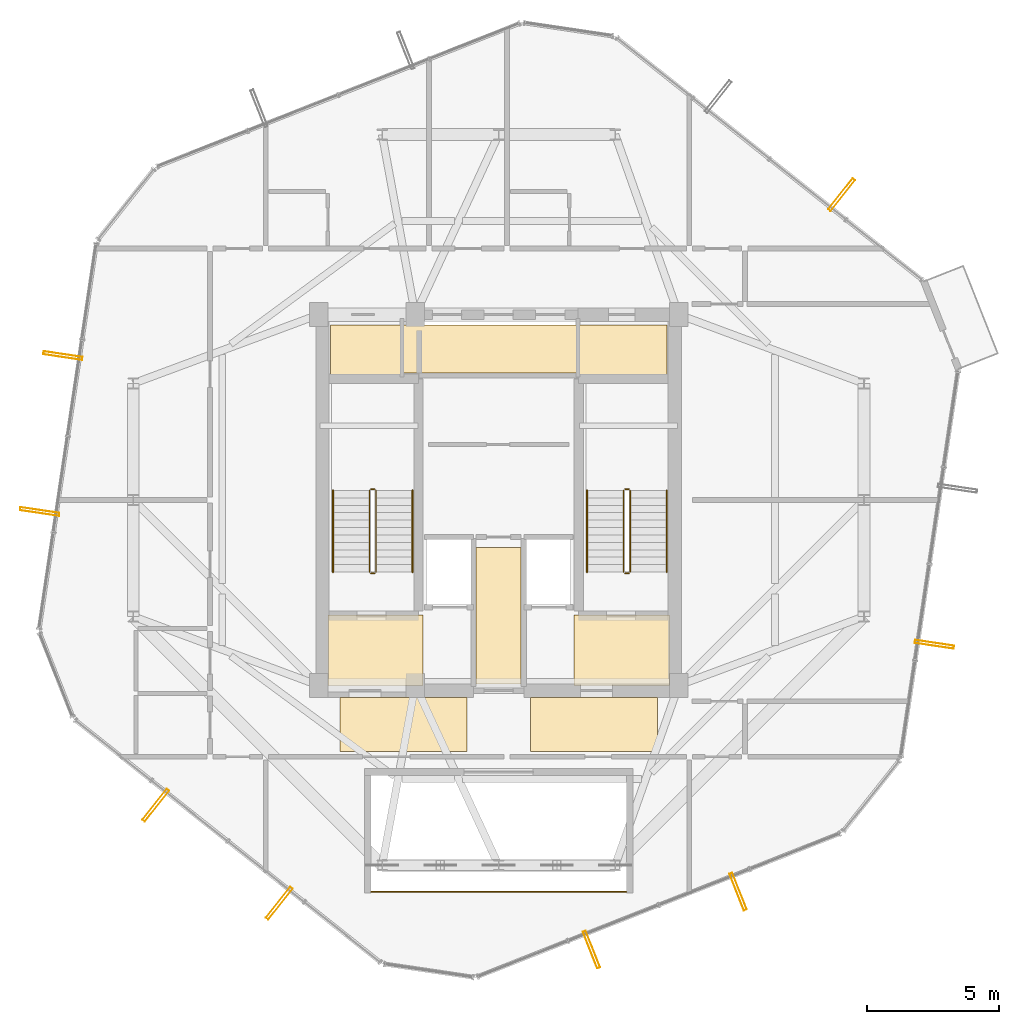
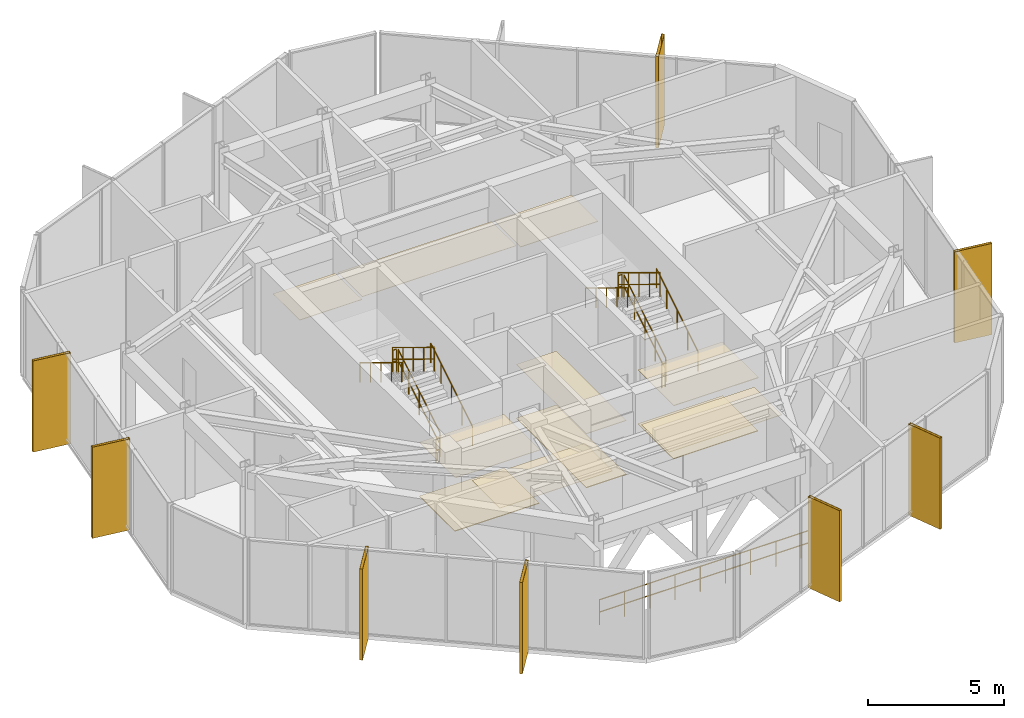
# One storey, part 21 of 22: 13 railings, 11 coverings, 8 shading devices.
"""IFC4 building model written with IfcOpenShell, lengths in metres."""

from ifc_helpers import new_model, si_unit, direction, frame, origin, origin_2d, place, context, subcontext, project, spatial, polyline, hollow_rectangle, circle, outline, extrude, material, layer, layer_set, material_profile, profile_set, type_object, element, save


model = new_model("IFC4")

# Units and contexts
model_context = context("Model", 3, precision=1e-05, world=origin(), true_north=direction((0.0, 1.0)))
body_context = subcontext(model_context, "Body", "Model", "MODEL_VIEW")
ifc_project = project(units=[si_unit("LENGTHUNIT", "METRE"), si_unit("AREAUNIT", "SQUARE_METRE"), si_unit("VOLUMEUNIT", "CUBIC_METRE"), si_unit("PLANEANGLEUNIT", "RADIAN"), si_unit("MASSUNIT", "GRAM", prefix="KILO")], contexts=[model_context])

# Site, building, storey
site_placement = place(None, origin())
site = spatial("IfcSite", under=ifc_project, at=site_placement, CompositionType="ELEMENT")
building_placement = place(site_placement, origin())
building = spatial("IfcBuilding", under=site, at=building_placement, Name="Veraguas Prism Commons", CompositionType="ELEMENT")
storey_placement = place(building_placement, frame((0.0, 0.0, 236.550048828125)))
storey = spatial("IfcBuildingStorey", under=building, at=storey_placement, Name="L67", CompositionType="ELEMENT", Elevation=236.550048828125)

# Shading devices
ifc_material_1 = material(Name="Anodised aluminium EN AW-6063 T6", Category="aluminium")
ifc_material_profile = material_profile(ifc_material_1, hollow_rectangle(XDim=0.1201171875, YDim=1.489990234375, WallThickness=0.006103515625, at=origin_2d()), Name="FIN120X1490X6")
ifc_profile_set = profile_set([ifc_material_profile], Name="Anodised aluminium EN AW-6063 T6")
shading_device_type = type_object("IfcShadingDeviceType", Name="Deep Pale-Metal Vertical Solar Fin 120x1490", PredefinedType="USERDEFINED", material=ifc_profile_set)
for number, where, z_axis, x_axis, name in (
    (1, (36.9501953125, 35.526611328125, -0.215087890625), (0.0, 0.0, 1.0), (-0.783259623423, 0.62169475011, 0.0), "Vertical Pale-Metal Solar Fin L67-F1A"),
    (2, (7.54248046875, 29.451904296875, -0.215087890625), (0.0, 0.0, 1.0), (-0.146771908855, -0.989170362865, 0.0), "Vertical Pale-Metal Solar Fin L67-F3A"),
    (3, (6.66845703125, 23.561767578125, -0.215087890625), (0.0, 0.0, 1.0), (-0.146771908855, -0.989170362865, 0.0), "Vertical Pale-Metal Solar Fin L67-F3B"),
    (4, (11.0498046875, 12.473388671875, -0.215087890625), (0.0, 0.0, 1.0), (0.783259623423, -0.62169475011, 0.0), "Vertical Pale-Metal Solar Fin L67-F4A"),
    (5, (15.7138671875, 8.771484375, -0.215087890625), (0.0, 0.0, 1.0), (0.783259623423, -0.62169475011, 0.0), "Vertical Pale-Metal Solar Fin L67-F4B"),
    (6, (27.50732421875, 7.021484375, -0.215087890625), (0.0, 0.0, 1.0), (0.93003261734, 0.367476979802, 0.0), "Vertical Pale-Metal Solar Fin L67-F5A"),
    (7, (33.045166015625, 9.209716796875, -0.215087890625), (0.0, 0.0, 1.0), (0.93003261734, 0.367476979802, 0.0), "Vertical Pale-Metal Solar Fin L67-F5B"),
    (8, (40.45751953125, 18.548095703125, -0.215087890625), (0.0, 0.0, 1.0), (0.146771908855, 0.989170362865, 0.0), "Vertical Pale-Metal Solar Fin L67-F6A"),
):
    element("IfcShadingDevice", number, at=place(storey_placement, frame(where, z_axis=z_axis, x_axis=x_axis)), inside=storey, type_object=shading_device_type, Name=name, ObjectType="FIN", PredefinedType="USERDEFINED", context=body_context, shape_type="SweptSolid", body=[
        extrude(hollow_rectangle(XDim=0.1201171875, YDim=1.489990234375, WallThickness=0.006103515625, at=origin_2d()), origin(), (0.0, 0.0, 1.0), 4.10009765625),
    ])

# Coverings
ifc_material_2 = material(Name="Acoustic gypsum board")
ifc_layer_1 = layer(ifc_material_2, 0.02490234375, Name="Perforated Acoustic Ceiling Tile 25")
ifc_layer_set_1 = layer_set([ifc_layer_1], Name="Acoustic gypsum board")
covering_type_1 = type_object("IfcCoveringType", Name="Perforated Acoustic Ceiling Tile 25", PredefinedType="USERDEFINED", material=ifc_layer_set_1)
covering_1_placement = place(storey_placement, frame((0.0, 0.0, 2.425048828125)))
element("IfcCovering", 9, at=covering_1_placement, inside=storey, type_object=covering_type_1, Name="East Lobby Acoustic Ceiling L67", ObjectType="ACOUSTIC CEILING", PredefinedType="USERDEFINED", context=body_context, shape_type="SweptSolid", body=[
    extrude(outline(polyline([(26.85009765625, 17.0), (30.449951171875, 17.0), (30.449951171875, 19.64990234375), (26.85009765625, 19.64990234375), (26.85009765625, 17.0)])), origin(), (0.0, 0.0, 1.0), 0.02490234375),
])
ifc_material_3 = material(Name="Terrazzo stone finish", Category="masonry")
ifc_layer_2 = layer(ifc_material_3, 0.030029296875, Name="Polished Terrazzo Floor Finish 30", Category="masonry")
ifc_layer_set_2 = layer_set([ifc_layer_2], Name="Terrazzo stone finish")
covering_type_2 = type_object("IfcCoveringType", Name="Polished Terrazzo Floor Finish 30", PredefinedType="FLOORING", material=ifc_layer_set_2)
covering_2_placement = place(storey_placement, origin())
element("IfcCovering", 10, at=covering_2_placement, inside=storey, type_object=covering_type_2, Name="Terrazzo Lobby Flooring L67", PredefinedType="FLOORING", context=body_context, shape_type="SweptSolid", body=[
    extrude(outline(polyline([(23.14990234375, 17.050048828125), (24.85009765625, 17.050048828125), (24.85009765625, 22.199951171875), (23.14990234375, 22.199951171875), (23.14990234375, 17.050048828125)])), origin(), (0.0, 0.0, 1.0), 0.030029296875),
])
covering_3_placement = place(storey_placement, origin())
element("IfcCovering", 11, at=covering_3_placement, inside=storey, type_object=covering_type_2, Name="West FF Lobby Terrazzo Flooring L67", PredefinedType="FLOORING", context=body_context, shape_type="SweptSolid", body=[
    extrude(outline(polyline([(17.550048828125, 17.050048828125), (21.14990234375, 17.050048828125), (21.14990234375, 19.64990234375), (17.550048828125, 19.64990234375), (17.550048828125, 17.050048828125)])), origin(), (0.0, 0.0, 1.0), 0.030029296875),
])
covering_4_placement = place(storey_placement, origin())
element("IfcCovering", 12, at=covering_4_placement, inside=storey, type_object=covering_type_2, Name="East FF Lobby Terrazzo Flooring L67", PredefinedType="FLOORING", context=body_context, shape_type="SweptSolid", body=[
    extrude(outline(polyline([(26.85009765625, 17.050048828125), (30.449951171875, 17.050048828125), (30.449951171875, 19.64990234375), (26.85009765625, 19.64990234375), (26.85009765625, 17.050048828125)])), origin(), (0.0, 0.0, 1.0), 0.030029296875),
])

# Railings
ifc_material_4 = material(Name="Stainless steel AISI 316", Category="steel")
railing_type_1 = type_object("IfcRailingType", Name="Setback and Wind Portal Guardrail 1150", PredefinedType="GUARDRAIL", material=ifc_material_4)
railing_1_placement = place(storey_placement, frame((19.175048828125, 9.199951171875, 0.0)))
element("IfcRailing", 13, at=railing_1_placement, inside=storey, type_object=railing_type_1, Name="Wind Portal Aerodynamic Lip Guardrail L67", PredefinedType="GUARDRAIL", context=body_context, shape_type="SweptSolid", body=[
    extrude(circle(Radius=0.02392578125, at=origin_2d()), frame((0.0, 0.0, 1.1259765625), z_axis=(1.0, 0.0, 0.0), x_axis=(0.0, 1.0, 0.0)), (0.0, 0.0, 1.0), 9.64990234375),
    extrude(circle(Radius=0.02392578125, at=origin_2d()), frame((0.0, 0.0, 0.574951171875), z_axis=(1.0, 0.0, 0.0), x_axis=(0.0, 1.0, 0.0)), (0.0, 0.0, 1.0), 9.64990234375),
    extrude(circle(Radius=0.02099609375, at=origin_2d()), origin(), (0.0, 0.0, 1.0), 1.101806640625),
    extrude(circle(Radius=0.02099609375, at=origin_2d()), frame((1.072265625, 0.0, 0.0)), (0.0, 0.0, 1.0), 1.101806640625),
    extrude(circle(Radius=0.02099609375, at=origin_2d()), frame((2.14453125, 0.0, 0.0)), (0.0, 0.0, 1.0), 1.101806640625),
    extrude(circle(Radius=0.02099609375, at=origin_2d()), frame((3.216552734375, 0.0, 0.0)), (0.0, 0.0, 1.0), 1.101806640625),
    extrude(circle(Radius=0.02099609375, at=origin_2d()), frame((4.288818359375, 0.0, 0.0)), (0.0, 0.0, 1.0), 1.101806640625),
    extrude(circle(Radius=0.02099609375, at=origin_2d()), frame((5.361083984375, 0.0, 0.0)), (0.0, 0.0, 1.0), 1.101806640625),
    extrude(circle(Radius=0.02099609375, at=origin_2d()), frame((6.433349609375, 0.0, 0.0)), (0.0, 0.0, 1.0), 1.101806640625),
    extrude(circle(Radius=0.02099609375, at=origin_2d()), frame((7.50537109375, 0.0, 0.0)), (0.0, 0.0, 1.0), 1.101806640625),
    extrude(circle(Radius=0.02099609375, at=origin_2d()), frame((8.57763671875, 0.0, 0.0)), (0.0, 0.0, 1.0), 1.101806640625),
    extrude(circle(Radius=0.02099609375, at=origin_2d()), frame((9.64990234375, 0.0, 0.0)), (0.0, 0.0, 1.0), 1.101806640625),
])
railing_type_2 = type_object("IfcRailingType", Name="Stair and Ramp Stainless Handrail 900", PredefinedType="HANDRAIL", material=ifc_material_4)
railing_2_placement = place(storey_placement, frame((20.75, 21.280029296875, 0.1708984375)))
element("IfcRailing", 14, at=railing_2_placement, inside=storey, type_object=railing_type_2, Name="Stair Handrail ST-01 L67-1", PredefinedType="HANDRAIL", context=body_context, shape_type="SweptSolid", body=[
    extrude(circle(Radius=0.02392578125, at=origin_2d()), frame((0.0, 0.0, 0.8759765625), z_axis=(0.0, 0.853666305674, 0.52082035152), x_axis=(-1.0, 0.0, 0.0)), (0.0, 0.0, 1.0), 3.608154296875),
    extrude(circle(Radius=0.02099609375, at=origin_2d()), origin(), (0.0, 0.0, 1.0), 0.851806640625),
    extrude(circle(Radius=0.02099609375, at=origin_2d()), frame((0.0, 0.77001953125, 0.4697265625)), (0.0, 0.0, 1.0), 0.851806640625),
    extrude(circle(Radius=0.02099609375, at=origin_2d()), frame((0.0, 1.5400390625, 0.939453125)), (0.0, 0.0, 1.0), 0.851806640625),
    extrude(circle(Radius=0.02099609375, at=origin_2d()), frame((0.0, 2.31005859375, 1.409423828125)), (0.0, 0.0, 1.0), 0.851806640625),
    extrude(circle(Radius=0.02099609375, at=origin_2d()), frame((0.0, 3.080078125, 1.879150390625)), (0.0, 0.0, 1.0), 0.851806640625),
])
railing_3_placement = place(storey_placement, frame((17.739990234375, 24.360107421875, 2.220703125)))
element("IfcRailing", 15, at=railing_3_placement, inside=storey, type_object=railing_type_2, Name="Stair Handrail ST-01 L67-2", PredefinedType="HANDRAIL", context=body_context, shape_type="SweptSolid", body=[
    extrude(circle(Radius=0.02392578125, at=origin_2d()), frame((0.0, 0.0, 0.8759765625), z_axis=(0.0, -0.853666305674, 0.52082035152), x_axis=(1.0, 0.0, 0.0)), (0.0, 0.0, 1.0), 3.608154296875),
    extrude(circle(Radius=0.02099609375, at=origin_2d()), origin(), (0.0, 0.0, 1.0), 0.851806640625),
    extrude(circle(Radius=0.02099609375, at=origin_2d()), frame((0.0, -0.77001953125, 0.4697265625)), (0.0, 0.0, 1.0), 0.851806640625),
    extrude(circle(Radius=0.02099609375, at=origin_2d()), frame((0.0, -1.5400390625, 0.939453125)), (0.0, 0.0, 1.0), 0.851806640625),
    extrude(circle(Radius=0.02099609375, at=origin_2d()), frame((0.0, -2.31005859375, 1.409423828125)), (0.0, 0.0, 1.0), 0.851806640625),
    extrude(circle(Radius=0.02099609375, at=origin_2d()), frame((0.0, -3.080078125, 1.879150390625)), (0.0, 0.0, 1.0), 0.851806640625),
])
railing_4_placement = place(storey_placement, frame((30.35009765625, 21.280029296875, 0.1708984375)))
element("IfcRailing", 16, at=railing_4_placement, inside=storey, type_object=railing_type_2, Name="Stair Handrail ST-02 L67-1", PredefinedType="HANDRAIL", context=body_context, shape_type="SweptSolid", body=[
    extrude(circle(Radius=0.02392578125, at=origin_2d()), frame((0.0, 0.0, 0.8759765625), z_axis=(0.0, 0.853666305674, 0.52082035152), x_axis=(-1.0, 0.0, 0.0)), (0.0, 0.0, 1.0), 3.608154296875),
    extrude(circle(Radius=0.02099609375, at=origin_2d()), origin(), (0.0, 0.0, 1.0), 0.851806640625),
    extrude(circle(Radius=0.02099609375, at=origin_2d()), frame((0.0, 0.77001953125, 0.4697265625)), (0.0, 0.0, 1.0), 0.851806640625),
    extrude(circle(Radius=0.02099609375, at=origin_2d()), frame((0.0, 1.5400390625, 0.939453125)), (0.0, 0.0, 1.0), 0.851806640625),
    extrude(circle(Radius=0.02099609375, at=origin_2d()), frame((0.0, 2.31005859375, 1.409423828125)), (0.0, 0.0, 1.0), 0.851806640625),
    extrude(circle(Radius=0.02099609375, at=origin_2d()), frame((0.0, 3.080078125, 1.879150390625)), (0.0, 0.0, 1.0), 0.851806640625),
])
railing_5_placement = place(storey_placement, frame((27.340087890625, 24.360107421875, 2.220703125)))
element("IfcRailing", 17, at=railing_5_placement, inside=storey, type_object=railing_type_2, Name="Stair Handrail ST-02 L67-2", PredefinedType="HANDRAIL", context=body_context, shape_type="SweptSolid", body=[
    extrude(circle(Radius=0.02392578125, at=origin_2d()), frame((0.0, 0.0, 0.8759765625), z_axis=(0.0, -0.853666305674, 0.52082035152), x_axis=(1.0, 0.0, 0.0)), (0.0, 0.0, 1.0), 3.608154296875),
    extrude(circle(Radius=0.02099609375, at=origin_2d()), origin(), (0.0, 0.0, 1.0), 0.851806640625),
    extrude(circle(Radius=0.02099609375, at=origin_2d()), frame((0.0, -0.77001953125, 0.4697265625)), (0.0, 0.0, 1.0), 0.851806640625),
    extrude(circle(Radius=0.02099609375, at=origin_2d()), frame((0.0, -1.5400390625, 0.939453125)), (0.0, 0.0, 1.0), 0.851806640625),
    extrude(circle(Radius=0.02099609375, at=origin_2d()), frame((0.0, -2.31005859375, 1.409423828125)), (0.0, 0.0, 1.0), 0.851806640625),
    extrude(circle(Radius=0.02099609375, at=origin_2d()), frame((0.0, -3.080078125, 1.879150390625)), (0.0, 0.0, 1.0), 0.851806640625),
])
railing_type_3 = type_object("IfcRailingType", Name="Stairwell Safety Guardrail 1100", PredefinedType="GUARDRAIL", material=ifc_material_4)
railing_6_placement = place(storey_placement, frame((19.3701171875, 21.280029296875, 0.1708984375)))
element("IfcRailing", 18, at=railing_6_placement, inside=storey, type_object=railing_type_3, Name="Stair Guard ST-01 L67-1", PredefinedType="GUARDRAIL", context=body_context, shape_type="SweptSolid", body=[
    extrude(circle(Radius=0.02392578125, at=origin_2d()), frame((0.0, 0.0, 1.076171875), z_axis=(0.0, 0.853666305674, 0.52082035152), x_axis=(-1.0, 0.0, 0.0)), (0.0, 0.0, 1.0), 3.608154296875),
    extrude(circle(Radius=0.02392578125, at=origin_2d()), frame((0.0, 0.0, 0.550048828125), z_axis=(0.0, 0.853666305674, 0.52082035152), x_axis=(-1.0, 0.0, 0.0)), (0.0, 0.0, 1.0), 3.608154296875),
    extrude(circle(Radius=0.02099609375, at=origin_2d()), origin(), (0.0, 0.0, 1.0), 1.052001953125),
    extrude(circle(Radius=0.02099609375, at=origin_2d()), frame((0.0, 0.77001953125, 0.4697265625)), (0.0, 0.0, 1.0), 1.052001953125),
    extrude(circle(Radius=0.02099609375, at=origin_2d()), frame((0.0, 1.5400390625, 0.939453125)), (0.0, 0.0, 1.0), 1.052001953125),
    extrude(circle(Radius=0.02099609375, at=origin_2d()), frame((0.0, 2.31005859375, 1.409423828125)), (0.0, 0.0, 1.0), 1.052001953125),
    extrude(circle(Radius=0.02099609375, at=origin_2d()), frame((0.0, 3.080078125, 1.879150390625)), (0.0, 0.0, 1.0), 1.052001953125),
])
railing_7_placement = place(storey_placement, frame((19.320068359375, 24.409912109375, 2.050048828125)))
element("IfcRailing", 19, at=railing_7_placement, inside=storey, type_object=railing_type_3, Name="Stair Guard ST-01 L67-2", PredefinedType="GUARDRAIL", context=body_context, shape_type="SweptSolid", body=[
    extrude(circle(Radius=0.02392578125, at=origin_2d()), frame((0.0, 0.0, 1.076171875), z_axis=(-1.0, 0.0, 0.0), x_axis=(0.0, -1.0, 0.0)), (0.0, 0.0, 1.0), 0.150146484375),
    extrude(circle(Radius=0.02392578125, at=origin_2d()), frame((0.0, 0.0, 0.550048828125), z_axis=(-1.0, 0.0, 0.0), x_axis=(0.0, -1.0, 0.0)), (0.0, 0.0, 1.0), 0.150146484375),
    extrude(circle(Radius=0.02099609375, at=origin_2d()), origin(), (0.0, 0.0, 1.0), 1.052001953125),
    extrude(circle(Radius=0.02099609375, at=origin_2d()), frame((-0.150146484375, 0.0, 0.0)), (0.0, 0.0, 1.0), 1.052001953125),
])
railing_8_placement = place(storey_placement, frame((19.1201171875, 24.360107421875, 2.220703125)))
element("IfcRailing", 20, at=railing_8_placement, inside=storey, type_object=railing_type_3, Name="Stair Guard ST-01 L67-3", PredefinedType="GUARDRAIL", context=body_context, shape_type="SweptSolid", body=[
    extrude(circle(Radius=0.02392578125, at=origin_2d()), frame((0.0, 0.0, 1.076171875), z_axis=(0.0, -0.853666305674, 0.52082035152), x_axis=(1.0, 0.0, 0.0)), (0.0, 0.0, 1.0), 3.608154296875),
    extrude(circle(Radius=0.02392578125, at=origin_2d()), frame((0.0, 0.0, 0.550048828125), z_axis=(0.0, -0.853666305674, 0.52082035152), x_axis=(1.0, 0.0, 0.0)), (0.0, 0.0, 1.0), 3.608154296875),
    extrude(circle(Radius=0.02099609375, at=origin_2d()), origin(), (0.0, 0.0, 1.0), 1.052001953125),
    extrude(circle(Radius=0.02099609375, at=origin_2d()), frame((0.0, -0.77001953125, 0.4697265625)), (0.0, 0.0, 1.0), 1.052001953125),
    extrude(circle(Radius=0.02099609375, at=origin_2d()), frame((0.0, -1.5400390625, 0.939453125)), (0.0, 0.0, 1.0), 1.052001953125),
    extrude(circle(Radius=0.02099609375, at=origin_2d()), frame((0.0, -2.31005859375, 1.409423828125)), (0.0, 0.0, 1.0), 1.052001953125),
    extrude(circle(Radius=0.02099609375, at=origin_2d()), frame((0.0, -3.080078125, 1.879150390625)), (0.0, 0.0, 1.0), 1.052001953125),
])
railing_9_placement = place(storey_placement, frame((19.320068359375, 21.22998046875, 0.0)))
element("IfcRailing", 21, at=railing_9_placement, inside=storey, type_object=railing_type_3, Name="Stair Guard ST-01 L67-4", PredefinedType="GUARDRAIL", context=body_context, shape_type="SweptSolid", body=[
    extrude(circle(Radius=0.02392578125, at=origin_2d()), frame((0.0, 0.0, 1.076171875), z_axis=(-1.0, 0.0, 0.0), x_axis=(0.0, -1.0, 0.0)), (0.0, 0.0, 1.0), 0.150146484375),
    extrude(circle(Radius=0.02392578125, at=origin_2d()), frame((0.0, 0.0, 0.550048828125), z_axis=(-1.0, 0.0, 0.0), x_axis=(0.0, -1.0, 0.0)), (0.0, 0.0, 1.0), 0.150146484375),
    extrude(circle(Radius=0.02099609375, at=origin_2d()), origin(), (0.0, 0.0, 1.0), 1.052001953125),
    extrude(circle(Radius=0.02099609375, at=origin_2d()), frame((-0.150146484375, 0.0, 0.0)), (0.0, 0.0, 1.0), 1.052001953125),
])
railing_10_placement = place(storey_placement, frame((28.969970703125, 21.280029296875, 0.1708984375)))
element("IfcRailing", 22, at=railing_10_placement, inside=storey, type_object=railing_type_3, Name="Stair Guard ST-02 L67-1", PredefinedType="GUARDRAIL", context=body_context, shape_type="SweptSolid", body=[
    extrude(circle(Radius=0.02392578125, at=origin_2d()), frame((0.0, 0.0, 1.076171875), z_axis=(0.0, 0.853666305674, 0.52082035152), x_axis=(-1.0, 0.0, 0.0)), (0.0, 0.0, 1.0), 3.608154296875),
    extrude(circle(Radius=0.02392578125, at=origin_2d()), frame((0.0, 0.0, 0.550048828125), z_axis=(0.0, 0.853666305674, 0.52082035152), x_axis=(-1.0, 0.0, 0.0)), (0.0, 0.0, 1.0), 3.608154296875),
    extrude(circle(Radius=0.02099609375, at=origin_2d()), origin(), (0.0, 0.0, 1.0), 1.052001953125),
    extrude(circle(Radius=0.02099609375, at=origin_2d()), frame((0.0, 0.77001953125, 0.4697265625)), (0.0, 0.0, 1.0), 1.052001953125),
    extrude(circle(Radius=0.02099609375, at=origin_2d()), frame((0.0, 1.5400390625, 0.939453125)), (0.0, 0.0, 1.0), 1.052001953125),
    extrude(circle(Radius=0.02099609375, at=origin_2d()), frame((0.0, 2.31005859375, 1.409423828125)), (0.0, 0.0, 1.0), 1.052001953125),
    extrude(circle(Radius=0.02099609375, at=origin_2d()), frame((0.0, 3.080078125, 1.879150390625)), (0.0, 0.0, 1.0), 1.052001953125),
])
railing_11_placement = place(storey_placement, frame((28.919921875, 24.409912109375, 2.050048828125)))
element("IfcRailing", 23, at=railing_11_placement, inside=storey, type_object=railing_type_3, Name="Stair Guard ST-02 L67-2", PredefinedType="GUARDRAIL", context=body_context, shape_type="SweptSolid", body=[
    extrude(circle(Radius=0.02392578125, at=origin_2d()), frame((0.0, 0.0, 1.076171875), z_axis=(-1.0, 0.0, 0.0), x_axis=(0.0, -1.0, 0.0)), (0.0, 0.0, 1.0), 0.14990234375),
    extrude(circle(Radius=0.02392578125, at=origin_2d()), frame((0.0, 0.0, 0.550048828125), z_axis=(-1.0, 0.0, 0.0), x_axis=(0.0, -1.0, 0.0)), (0.0, 0.0, 1.0), 0.14990234375),
    extrude(circle(Radius=0.02099609375, at=origin_2d()), origin(), (0.0, 0.0, 1.0), 1.052001953125),
    extrude(circle(Radius=0.02099609375, at=origin_2d()), frame((-0.14990234375, 0.0, 0.0)), (0.0, 0.0, 1.0), 1.052001953125),
])
railing_12_placement = place(storey_placement, frame((28.719970703125, 24.360107421875, 2.220703125)))
element("IfcRailing", 24, at=railing_12_placement, inside=storey, type_object=railing_type_3, Name="Stair Guard ST-02 L67-3", PredefinedType="GUARDRAIL", context=body_context, shape_type="SweptSolid", body=[
    extrude(circle(Radius=0.02392578125, at=origin_2d()), frame((0.0, 0.0, 1.076171875), z_axis=(0.0, -0.853666305674, 0.52082035152), x_axis=(1.0, 0.0, 0.0)), (0.0, 0.0, 1.0), 3.608154296875),
    extrude(circle(Radius=0.02392578125, at=origin_2d()), frame((0.0, 0.0, 0.550048828125), z_axis=(0.0, -0.853666305674, 0.52082035152), x_axis=(1.0, 0.0, 0.0)), (0.0, 0.0, 1.0), 3.608154296875),
    extrude(circle(Radius=0.02099609375, at=origin_2d()), origin(), (0.0, 0.0, 1.0), 1.052001953125),
    extrude(circle(Radius=0.02099609375, at=origin_2d()), frame((0.0, -0.77001953125, 0.4697265625)), (0.0, 0.0, 1.0), 1.052001953125),
    extrude(circle(Radius=0.02099609375, at=origin_2d()), frame((0.0, -1.5400390625, 0.939453125)), (0.0, 0.0, 1.0), 1.052001953125),
    extrude(circle(Radius=0.02099609375, at=origin_2d()), frame((0.0, -2.31005859375, 1.409423828125)), (0.0, 0.0, 1.0), 1.052001953125),
    extrude(circle(Radius=0.02099609375, at=origin_2d()), frame((0.0, -3.080078125, 1.879150390625)), (0.0, 0.0, 1.0), 1.052001953125),
])
railing_13_placement = place(storey_placement, frame((28.919921875, 21.22998046875, 0.0)))
element("IfcRailing", 25, at=railing_13_placement, inside=storey, type_object=railing_type_3, Name="Stair Guard ST-02 L67-4", PredefinedType="GUARDRAIL", context=body_context, shape_type="SweptSolid", body=[
    extrude(circle(Radius=0.02392578125, at=origin_2d()), frame((0.0, 0.0, 1.076171875), z_axis=(-1.0, 0.0, 0.0), x_axis=(0.0, -1.0, 0.0)), (0.0, 0.0, 1.0), 0.14990234375),
    extrude(circle(Radius=0.02392578125, at=origin_2d()), frame((0.0, 0.0, 0.550048828125), z_axis=(-1.0, 0.0, 0.0), x_axis=(0.0, -1.0, 0.0)), (0.0, 0.0, 1.0), 0.14990234375),
    extrude(circle(Radius=0.02099609375, at=origin_2d()), origin(), (0.0, 0.0, 1.0), 1.052001953125),
    extrude(circle(Radius=0.02099609375, at=origin_2d()), frame((-0.14990234375, 0.0, 0.0)), (0.0, 0.0, 1.0), 1.052001953125),
])

# Coverings
ifc_layer_3 = layer(ifc_material_2, 0.02001953125, Name="Suspended Gypsum Ceiling 20")
ifc_layer_set_3 = layer_set([ifc_layer_3], Name="Acoustic gypsum board")
covering_type_3 = type_object("IfcCoveringType", Name="Suspended Gypsum Ceiling 20", PredefinedType="CEILING", material=ifc_layer_set_3)
covering_5_placement = place(storey_placement, frame((0.0, 0.0, 2.429931640625)))
element("IfcCovering", 26, at=covering_5_placement, inside=storey, type_object=covering_type_3, Name="West Lobby Suspended Gypsum Ceiling L67", PredefinedType="CEILING", context=body_context, shape_type="SweptSolid", body=[
    extrude(outline(polyline([(17.550048828125, 17.0), (21.14990234375, 17.0), (21.14990234375, 19.64990234375), (17.550048828125, 19.64990234375), (17.550048828125, 17.0)])), origin(), (0.0, 0.0, 1.0), 0.02001953125),
])
covering_6_placement = place(storey_placement, frame((0.0, 0.0, 2.429931640625)))
element("IfcCovering", 27, at=covering_6_placement, inside=storey, type_object=covering_type_3, Name="Core Lobby Acoustic Ceiling L67-1", PredefinedType="CEILING", context=body_context, shape_type="SweptSolid", body=[
    extrude(outline(polyline([(18.0, 14.5), (22.800048828125, 14.5), (22.800048828125, 16.550048828125), (18.0, 16.550048828125), (18.0, 14.5)])), origin(), (0.0, 0.0, 1.0), 0.02001953125),
])
covering_7_placement = place(storey_placement, frame((0.0, 0.0, 2.429931640625)))
element("IfcCovering", 28, at=covering_7_placement, inside=storey, type_object=covering_type_3, Name="Core Lobby Acoustic Ceiling L67-2", PredefinedType="CEILING", context=body_context, shape_type="SweptSolid", body=[
    extrude(outline(polyline([(25.199951171875, 14.5), (30.0, 14.5), (30.0, 16.550048828125), (25.199951171875, 16.550048828125), (25.199951171875, 14.5)])), origin(), (0.0, 0.0, 1.0), 0.02001953125),
])
covering_8_placement = place(storey_placement, frame((0.0, 0.0, 2.429931640625)))
element("IfcCovering", 29, at=covering_8_placement, inside=storey, type_object=covering_type_3, Name="Core Lobby Acoustic Ceiling L67-3", PredefinedType="CEILING", context=body_context, shape_type="SweptSolid", body=[
    extrude(outline(polyline([(23.14990234375, 17.050048828125), (24.85009765625, 17.050048828125), (24.85009765625, 22.199951171875), (23.14990234375, 22.199951171875), (23.14990234375, 17.050048828125)])), origin(), (0.0, 0.0, 1.0), 0.02001953125),
])
covering_9_placement = place(storey_placement, frame((0.0, 0.0, 2.429931640625)))
element("IfcCovering", 30, at=covering_9_placement, inside=storey, type_object=covering_type_3, Name="Core Lobby Acoustic Ceiling L67-4", PredefinedType="CEILING", context=body_context, shape_type="SweptSolid", body=[
    extrude(outline(polyline([(17.64990234375, 28.64990234375), (20.300048828125, 28.64990234375), (20.300048828125, 30.60009765625), (17.64990234375, 30.60009765625), (17.64990234375, 28.64990234375)])), origin(), (0.0, 0.0, 1.0), 0.02001953125),
])
covering_10_placement = place(storey_placement, frame((0.0, 0.0, 2.429931640625)))
element("IfcCovering", 31, at=covering_10_placement, inside=storey, type_object=covering_type_3, Name="Core Lobby Acoustic Ceiling L67-5", PredefinedType="CEILING", context=body_context, shape_type="SweptSolid", body=[
    extrude(outline(polyline([(27.050048828125, 28.64990234375), (30.35009765625, 28.64990234375), (30.35009765625, 30.60009765625), (27.050048828125, 30.60009765625), (27.050048828125, 28.64990234375)])), origin(), (0.0, 0.0, 1.0), 0.02001953125),
])
covering_11_placement = place(storey_placement, frame((0.0, 0.0, 2.429931640625)))
element("IfcCovering", 32, at=covering_11_placement, inside=storey, type_object=covering_type_3, Name="Core Lobby Acoustic Ceiling L67-6", PredefinedType="CEILING", context=body_context, shape_type="SweptSolid", body=[
    extrude(outline(polyline([(20.39990234375, 28.800048828125), (26.949951171875, 28.800048828125), (26.949951171875, 30.60009765625), (20.39990234375, 30.60009765625), (20.39990234375, 28.800048828125)])), origin(), (0.0, 0.0, 1.0), 0.02001953125),
])

save(model, "model.ifc")
